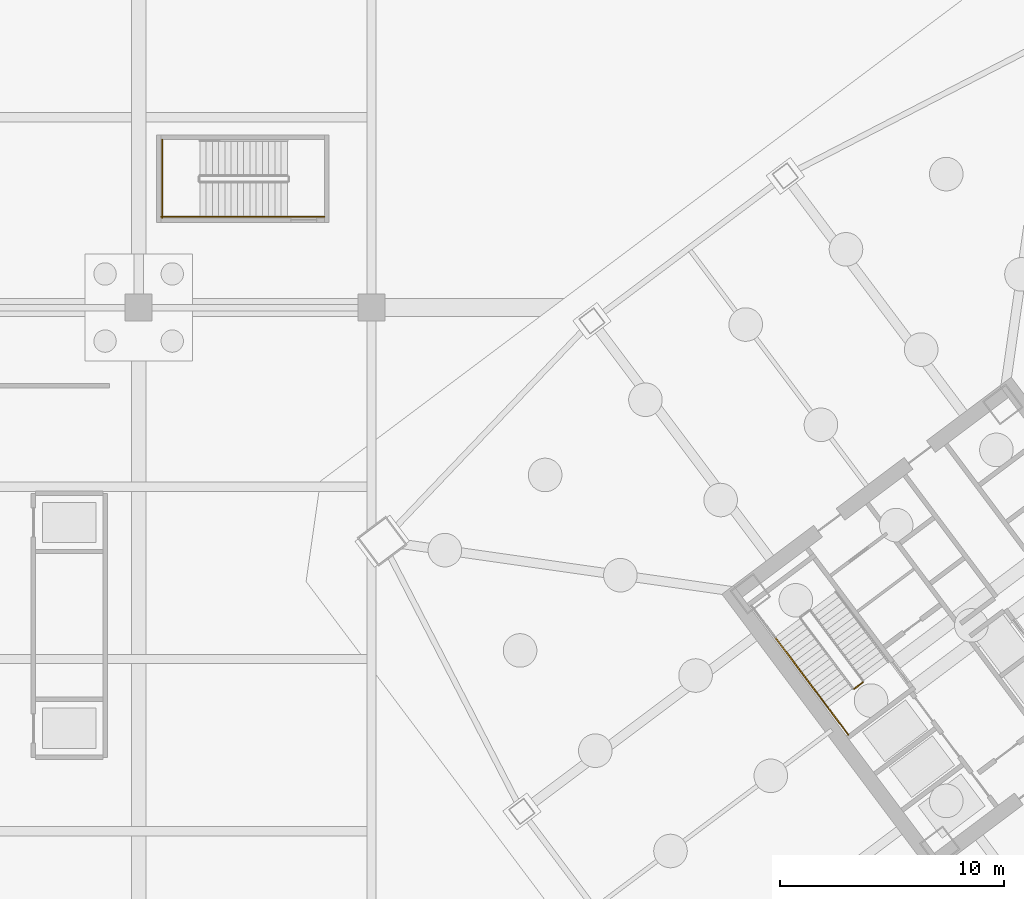
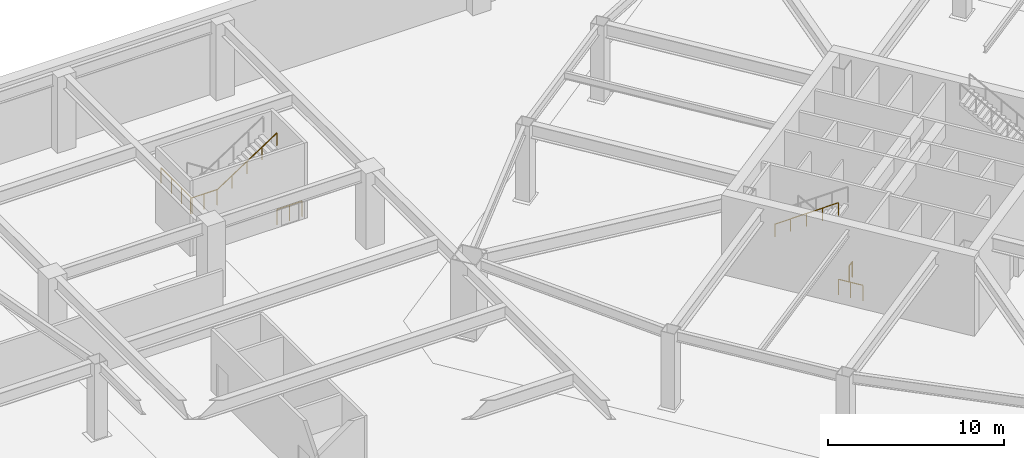
# One storey, part 16 of 19: 7 railings.
"""IFC4 building model written with IfcOpenShell, lengths in metres."""

from ifc_helpers import new_model, si_unit, direction, frame, origin, origin_2d, place, context, subcontext, project, spatial, rectangle, extrude, material, type_object, element, save


model = new_model("IFC4")

# Units and contexts
model_context = context("Model", 3, precision=1e-05, world=origin(), true_north=direction((0.0, 1.0)))
body_context = subcontext(model_context, "Body", "Model", "MODEL_VIEW")
ifc_project = project(units=[si_unit("LENGTHUNIT", "METRE"), si_unit("AREAUNIT", "SQUARE_METRE"), si_unit("VOLUMEUNIT", "CUBIC_METRE"), si_unit("PLANEANGLEUNIT", "RADIAN"), si_unit("MASSUNIT", "GRAM", prefix="KILO")], contexts=[model_context])

# Site, building, storey
site_placement = place(None, origin())
site = spatial("IfcSite", under=ifc_project, at=site_placement, CompositionType="ELEMENT")
building_placement = place(site_placement, origin())
building = spatial("IfcBuilding", under=site, at=building_placement, Name="Tashvorn Skyway Center", CompositionType="ELEMENT")
storey_placement = place(building_placement, frame((0.0, 0.0, -11.0)))
storey = spatial("IfcBuildingStorey", under=building, at=storey_placement, Name="B2", CompositionType="ELEMENT", Elevation=-11.0)

# Railings
ifc_material_1 = material(Name="Brushed stainless steel 316", Category="steel")
railing_type_1 = type_object("IfcRailingType", Name="RAIL-HAND-920", PredefinedType="HANDRAIL", material=ifc_material_1)
railing_1_placement = place(storey_placement, frame((105.23193359375, 31.47412109375, 2.933349609375)))
element("IfcRailing", 1, at=railing_1_placement, inside=storey, type_object=railing_type_1, Name="B2 ST-T2-1 stair handrail 2", PredefinedType="HANDRAIL", context=body_context, shape_type="SweptSolid", body=[
    extrude(rectangle(XDim=0.048095703125, YDim=0.048095703125, at=origin_2d()), frame((0.0, 0.0, 0.8759765625), z_axis=(0.501963654013, -0.669319607583, 0.547762496849), x_axis=(0.800014946318, 0.599980071059, 0.0)), (0.0, 0.0, 1.0), 4.685791015625),
    extrude(rectangle(XDim=0.0419921875, YDim=0.0419921875, at=origin_2d()), origin(), (0.0, 0.0, 1.0), 0.851806640625),
    extrude(rectangle(XDim=0.0419921875, YDim=0.0419921875, at=origin_2d()), frame((0.587890625, -0.7841796875, 0.6416015625)), (0.0, 0.0, 1.0), 0.851806640625),
    extrude(rectangle(XDim=0.0419921875, YDim=0.0419921875, at=origin_2d()), frame((1.176025390625, -1.568115234375, 1.283203125)), (0.0, 0.0, 1.0), 0.851806640625),
    extrude(rectangle(XDim=0.0419921875, YDim=0.0419921875, at=origin_2d()), frame((1.76416015625, -2.35205078125, 1.925048828125)), (0.0, 0.0, 1.0), 0.851806640625),
    extrude(rectangle(XDim=0.0419921875, YDim=0.0419921875, at=origin_2d()), frame((2.35205078125, -3.13623046875, 2.566650390625)), (0.0, 0.0, 1.0), 0.851806640625),
])
railing_2_placement = place(storey_placement, frame((79.530029296875, 50.25, 2.933349609375)))
element("IfcRailing", 2, at=railing_2_placement, inside=storey, type_object=railing_type_1, Name="B2 ST-POD-2 stair handrail 2", PredefinedType="HANDRAIL", context=body_context, shape_type="SweptSolid", body=[
    extrude(rectangle(XDim=0.048095703125, YDim=0.048095703125, at=origin_2d()), frame((0.0, 0.0, 0.8759765625), z_axis=(0.836615117243, 0.0, 0.547791151444), x_axis=(0.0, 1.0, 0.0)), (0.0, 0.0, 1.0), 4.685546875),
    extrude(rectangle(XDim=0.0419921875, YDim=0.0419921875, at=origin_2d()), origin(), (0.0, 0.0, 1.0), 0.851806640625),
    extrude(rectangle(XDim=0.0419921875, YDim=0.0419921875, at=origin_2d()), frame((0.97998046875, 0.0, 0.6416015625)), (0.0, 0.0, 1.0), 0.851806640625),
    extrude(rectangle(XDim=0.0419921875, YDim=0.0419921875, at=origin_2d()), frame((1.9599609375, 0.0, 1.283203125)), (0.0, 0.0, 1.0), 0.851806640625),
    extrude(rectangle(XDim=0.0419921875, YDim=0.0419921875, at=origin_2d()), frame((2.93994140625, 0.0, 1.925048828125)), (0.0, 0.0, 1.0), 0.851806640625),
    extrude(rectangle(XDim=0.0419921875, YDim=0.0419921875, at=origin_2d()), frame((3.919921875, 0.0, 2.566650390625)), (0.0, 0.0, 1.0), 0.851806640625),
])
ifc_material_2 = material(Name="Painted galvanized steel S355", Category="steel")
railing_type_2 = type_object("IfcRailingType", Name="RAIL-STGUARD-1100", PredefinedType="GUARDRAIL", material=ifc_material_2)
railing_3_placement = place(storey_placement, frame((109.157958984375, 29.4560546875, 0.0)))
element("IfcRailing", 3, at=railing_3_placement, inside=storey, type_object=railing_type_2, Name="B2 ST-T2-1 stair guard 5", PredefinedType="GUARDRAIL", context=body_context, shape_type="SweptSolid", body=[
    extrude(rectangle(XDim=0.048095703125, YDim=0.048095703125, at=origin_2d()), frame((0.0, 0.0, 1.076171875), z_axis=(-0.799938970639, -0.600081363861, 0.0), x_axis=(0.600081363861, -0.799938970639, 0.0)), (0.0, 0.0, 1.0), 0.47998046875),
    extrude(rectangle(XDim=0.0419921875, YDim=0.0419921875, at=origin_2d()), origin(), (0.0, 0.0, 1.0), 1.052001953125),
    extrude(rectangle(XDim=0.0419921875, YDim=0.0419921875, at=origin_2d()), frame((-0.384033203125, -0.2880859375, 0.0)), (0.0, 0.0, 1.0), 1.052001953125),
])
railing_4_placement = place(storey_placement, frame((108.49609375, 27.1220703125, 0.0)))
element("IfcRailing", 4, at=railing_4_placement, inside=storey, type_object=railing_type_2, Name="B2 ST-T2-1 stair guard 6", PredefinedType="GUARDRAIL", context=body_context, shape_type="SweptSolid", body=[
    extrude(rectangle(XDim=0.048095703125, YDim=0.048095703125, at=origin_2d()), frame((0.0, 0.0, 1.076171875), z_axis=(-0.600102796382, 0.799922892393, 0.0), x_axis=(-0.799922892393, -0.600102796382, 0.0)), (0.0, 0.0, 1.0), 1.52001953125),
    extrude(rectangle(XDim=0.0419921875, YDim=0.0419921875, at=origin_2d()), origin(), (0.0, 0.0, 1.0), 1.052001953125),
    extrude(rectangle(XDim=0.0419921875, YDim=0.0419921875, at=origin_2d()), frame((-0.4560546875, 0.60791015625, 0.0)), (0.0, 0.0, 1.0), 1.052001953125),
    extrude(rectangle(XDim=0.0419921875, YDim=0.0419921875, at=origin_2d()), frame((-0.912109375, 1.2158203125, 0.0)), (0.0, 0.0, 1.0), 1.052001953125),
])
railing_5_placement = place(storey_placement, frame((79.530029296875, 50.25, 2.75)))
element("IfcRailing", 5, at=railing_5_placement, inside=storey, type_object=railing_type_2, Name="B2 ST-POD-2 stair guard 3", PredefinedType="GUARDRAIL", context=body_context, shape_type="SweptSolid", body=[
    extrude(rectangle(XDim=0.048095703125, YDim=0.048095703125, at=origin_2d()), frame((0.0, 0.0, 1.076171875), z_axis=(-1.0, 0.0, 0.0), x_axis=(0.0, -1.0, 0.0)), (0.0, 0.0, 1.0), 1.72998046875),
    extrude(rectangle(XDim=0.0419921875, YDim=0.0419921875, at=origin_2d()), origin(), (0.0, 0.0, 1.0), 1.052001953125),
    extrude(rectangle(XDim=0.0419921875, YDim=0.0419921875, at=origin_2d()), frame((-0.864990234375, 0.0, 0.0)), (0.0, 0.0, 1.0), 1.052001953125),
    extrude(rectangle(XDim=0.0419921875, YDim=0.0419921875, at=origin_2d()), frame((-1.72998046875, 0.0, 0.0)), (0.0, 0.0, 1.0), 1.052001953125),
])
railing_6_placement = place(storey_placement, frame((77.85009765625, 53.699951171875, 2.75)))
element("IfcRailing", 6, at=railing_6_placement, inside=storey, type_object=railing_type_2, Name="B2 ST-POD-2 stair guard 4", PredefinedType="GUARDRAIL", context=body_context, shape_type="SweptSolid", body=[
    extrude(rectangle(XDim=0.048095703125, YDim=0.048095703125, at=origin_2d()), frame((0.0, 0.0, 1.076171875), z_axis=(0.0, -1.0, 0.0), x_axis=(1.0, 0.0, 0.0)), (0.0, 0.0, 1.0), 3.5),
    extrude(rectangle(XDim=0.0419921875, YDim=0.0419921875, at=origin_2d()), origin(), (0.0, 0.0, 1.0), 1.052001953125),
    extrude(rectangle(XDim=0.0419921875, YDim=0.0419921875, at=origin_2d()), frame((0.0, -1.166748046875, 0.0)), (0.0, 0.0, 1.0), 1.052001953125),
    extrude(rectangle(XDim=0.0419921875, YDim=0.0419921875, at=origin_2d()), frame((0.0, -2.333251953125, 0.0)), (0.0, 0.0, 1.0), 1.052001953125),
    extrude(rectangle(XDim=0.0419921875, YDim=0.0419921875, at=origin_2d()), frame((0.0, -3.5, 0.0)), (0.0, 0.0, 1.0), 1.052001953125),
])
railing_7_placement = place(storey_placement, frame((85.10009765625, 50.25, 0.0)))
element("IfcRailing", 7, at=railing_7_placement, inside=storey, type_object=railing_type_2, Name="B2 ST-POD-2 stair guard 7", PredefinedType="GUARDRAIL", context=body_context, shape_type="SweptSolid", body=[
    extrude(rectangle(XDim=0.048095703125, YDim=0.048095703125, at=origin_2d()), frame((0.0, 0.0, 1.076171875), z_axis=(-1.0, 0.0, 0.0), x_axis=(0.0, -1.0, 0.0)), (0.0, 0.0, 1.0), 1.650146484375),
    extrude(rectangle(XDim=0.0419921875, YDim=0.0419921875, at=origin_2d()), origin(), (0.0, 0.0, 1.0), 1.052001953125),
    extrude(rectangle(XDim=0.0419921875, YDim=0.0419921875, at=origin_2d()), frame((-0.8251953125, 0.0, 0.0)), (0.0, 0.0, 1.0), 1.052001953125),
    extrude(rectangle(XDim=0.0419921875, YDim=0.0419921875, at=origin_2d()), frame((-1.650146484375, 0.0, 0.0)), (0.0, 0.0, 1.0), 1.052001953125),
])

save(model, "model.ifc")
